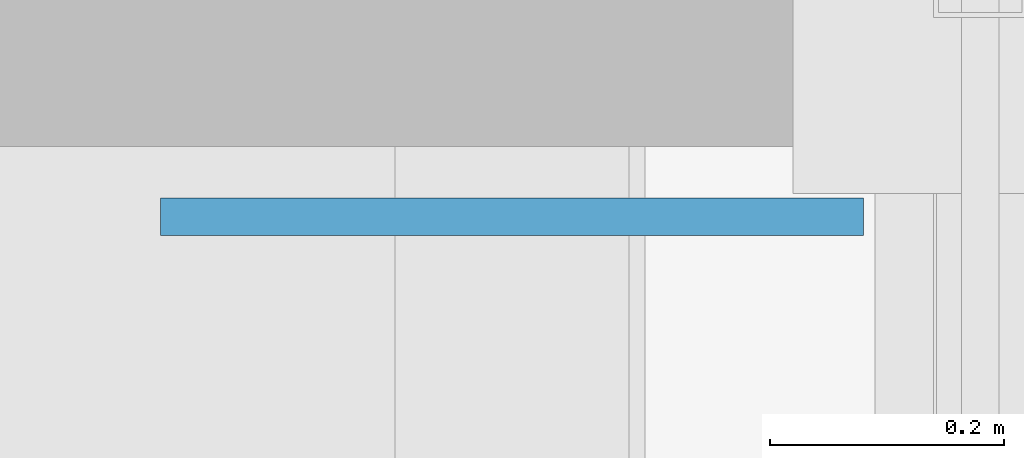
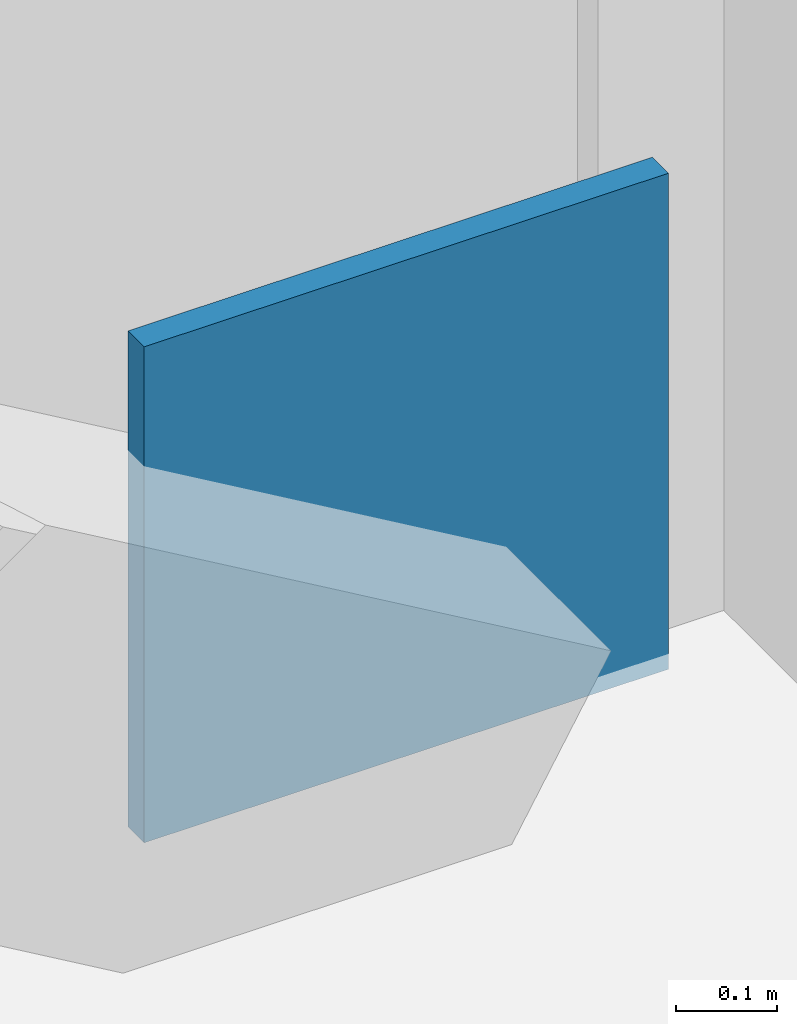
# One storey, part 32 of 37: 1 plate.
"""IFC4 building model written with IfcOpenShell, lengths in metres."""

from ifc_helpers import new_model, si_unit, direction, frame, origin, origin_2d, place, context, subcontext, project, spatial, rectangle, extrude, source, transform, mapped, material, layer, layer_set, type_object, element, save


model = new_model("IFC4")

# Units and contexts
model_context = context("Model", 3, precision=1e-05, world=origin(), true_north=direction((0.0, 1.0)))
body_context = subcontext(model_context, "Body", "Model", "MODEL_VIEW")
ifc_project = project(units=[si_unit("LENGTHUNIT", "METRE"), si_unit("AREAUNIT", "SQUARE_METRE"), si_unit("VOLUMEUNIT", "CUBIC_METRE"), si_unit("PLANEANGLEUNIT", "RADIAN"), si_unit("MASSUNIT", "GRAM", prefix="KILO")], contexts=[model_context])

# Site, building, storey
site_placement = place(None, origin())
site = spatial("IfcSite", under=ifc_project, at=site_placement, CompositionType="ELEMENT")
building_placement = place(site_placement, origin())
building = spatial("IfcBuilding", under=site, at=building_placement, Name="Trelvane Seafront Commons", CompositionType="ELEMENT")
storey_placement = place(building_placement, frame((0.0, 0.0, 303.5)))
storey = spatial("IfcBuildingStorey", under=building, at=storey_placement, Name="L79", CompositionType="ELEMENT", Elevation=303.5)

# Plate
ifc_material = material(Name="Steel SM355 (S355)", Category="steel")
ifc_layer = layer(ifc_material, 0.031982421875, Name="STR-PLT-GUS2")
ifc_layer_set = layer_set([ifc_layer], Name="Steel SM355 (S355)")
plate_type = type_object("IfcPlateType", Name="STR-PLT-GUS2", PredefinedType="SHEET", material=ifc_layer_set)
shared_shape = source(origin(), body_context, "Body", "SweptSolid", [
    extrude(rectangle(XDim=0.60009765625, YDim=0.031982421875, at=origin_2d()), origin(), (0.0, 0.0, 1.0), 0.60009765625),
])
plate_placement = place(storey_placement, frame((65.60009765625, 44.10009765625, -0.02001953125), z_axis=(0.0, 0.0, 1.0), x_axis=(1.0, 0.0, 0.0)))
element("IfcPlate", 1, at=plate_placement, inside=storey, type_object=plate_type, Name="L79 Brace Connection Gusset Plate GP-125", PredefinedType="SHEET", context=body_context, shape_type="MappedRepresentation", body=[
    mapped(shared_shape, transform((0.0, 0.0, 0.0), x_axis=(1.0, 0.0, 0.0), y_axis=(0.0, 1.0, 0.0), z_axis=(0.0, 0.0, 1.0), scale=1.0)),
])

save(model, "model.ifc")
